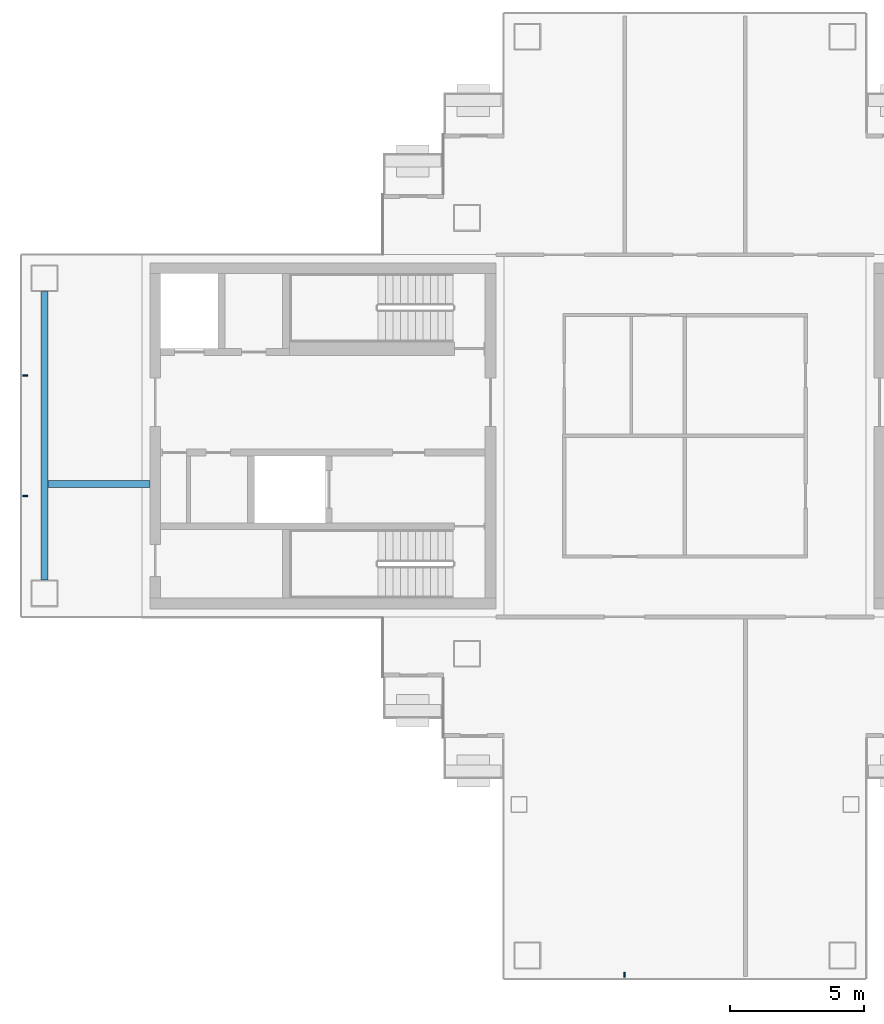
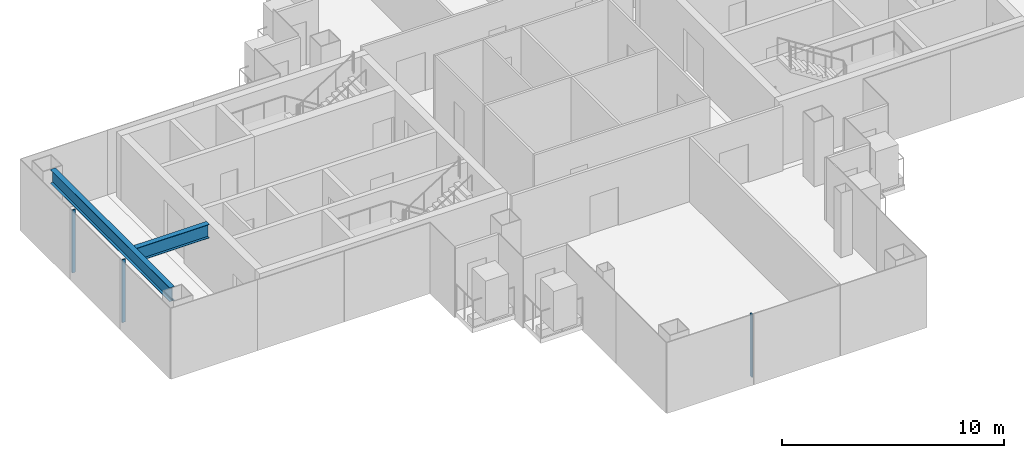
# One storey, part 3 of 15: 3 members, 2 beams, 2 elements without a shape of their own.
"""IFC4 building model written with IfcOpenShell, lengths in metres."""

from ifc_helpers import new_model, si_unit, direction, frame, origin, origin_2d, place, context, subcontext, project, spatial, rectangle, i_section, extrude, material, layer, layer_set, material_profile, profile_set, type_object, element, aggregate, save


model = new_model("IFC4")

# Units and contexts
model_context = context("Model", 3, precision=1e-05, world=origin(), true_north=direction((0.0, 1.0)))
body_context = subcontext(model_context, "Body", "Model", "MODEL_VIEW")
ifc_project = project(units=[si_unit("LENGTHUNIT", "METRE"), si_unit("AREAUNIT", "SQUARE_METRE"), si_unit("VOLUMEUNIT", "CUBIC_METRE"), si_unit("PLANEANGLEUNIT", "RADIAN"), si_unit("MASSUNIT", "GRAM", prefix="KILO")], contexts=[model_context])

# Site, building, storey
site_placement = place(None, origin())
site = spatial("IfcSite", under=ifc_project, at=site_placement, CompositionType="ELEMENT")
building_placement = place(site_placement, origin())
building = spatial("IfcBuilding", under=site, at=building_placement, Name="Shamsa Quay Exchange Towers", CompositionType="ELEMENT")
storey_placement = place(building_placement, frame((0.0, 0.0, 206.10009765625)))
storey = spatial("IfcBuildingStorey", under=building, at=storey_placement, Name="L49", CompositionType="ELEMENT", Elevation=206.10009765625)

# Curtain wall, member
ifc_material_1 = material(Name="Aluminium EN AW-6063 T6, black anodised", Category="aluminium")
ifc_layer = layer(ifc_material_1, 0.280029296875)
ifc_layer_set = layer_set([ifc_layer], Name="CW-1 UNITISED VISION GLASS")
curtain_wall_type = type_object("IfcCurtainWallType", Name="CW-1 UNITISED VISION GLASS", PredefinedType="NOTDEFINED", material=ifc_layer_set)
curtain_wall_1_placement = place(storey_placement, origin())
curtain_wall_1 = element("IfcCurtainWall", 1, at=curtain_wall_1_placement, inside=storey, type_object=curtain_wall_type, Name="CW1 T1-END-V- L49", PredefinedType="NOTDEFINED")
ifc_material_profile_1 = material_profile(ifc_material_1, rectangle(XDim=0.179931640625, YDim=0.06005859375, at=origin_2d()), Name="MU60x180")
ifc_profile_set_1 = profile_set([ifc_material_profile_1], Name="Aluminium EN AW-6063 T6, black anodised")
member_type = type_object("IfcMemberType", Name="CW1 MULLION 60x180", PredefinedType="MULLION", material=ifc_profile_set_1)
member_1_placement = place(storey_placement, frame((-36.0, -20.10009765625, 0.0), z_axis=(0.0, 0.0, 1.0), x_axis=(0.0, 1.0, 0.0)))
member_1 = element("IfcMember", 2, at=member_1_placement, type_object=member_type, Name="CW1 mullion", PredefinedType="MULLION", context=body_context, shape_type="SweptSolid", body=[
    extrude(rectangle(XDim=0.179931640625, YDim=0.06005859375, at=origin_2d()), origin(), (0.0, 0.0, 1.0), 3.449951171875),
])
aggregate(curtain_wall_1, [member_1])

# Curtain wall, members
curtain_wall_2_placement = place(storey_placement, origin())
curtain_wall_2 = element("IfcCurtainWall", 3, at=curtain_wall_2_placement, inside=storey, type_object=curtain_wall_type, Name="CW1 T1-END-U- L49", PredefinedType="NOTDEFINED")
member_2_placement = place(storey_placement, frame((-58.35009765625, 2.25, 0.0)))
member_2 = element("IfcMember", 4, at=member_2_placement, type_object=member_type, Name="CW1 mullion", PredefinedType="MULLION", context=body_context, shape_type="SweptSolid", body=[
    extrude(rectangle(XDim=0.179931640625, YDim=0.06005859375, at=origin_2d()), origin(), (0.0, 0.0, 1.0), 3.449951171875),
])
member_3_placement = place(storey_placement, frame((-58.35009765625, -2.25, 0.0)))
member_3 = element("IfcMember", 5, at=member_3_placement, type_object=member_type, Name="CW1 mullion", PredefinedType="MULLION", context=body_context, shape_type="SweptSolid", body=[
    extrude(rectangle(XDim=0.179931640625, YDim=0.06005859375, at=origin_2d()), origin(), (0.0, 0.0, 1.0), 3.449951171875),
])
aggregate(curtain_wall_2, [member_2, member_3])

# Beams
ifc_material_2 = material(Name="Steel S355", Category="steel")
ifc_material_profile_2 = material_profile(ifc_material_2, i_section(OverallWidth=0.26611328125, OverallDepth=0.7578125, WebThickness=0.013916015625, FlangeThickness=0.019287109375, at=origin_2d()), Name="W30x108")
ifc_profile_set_2 = profile_set([ifc_material_profile_2], Name="Steel S355")
beam_type = type_object("IfcBeamType", Name="End-zone beam W30x108", PredefinedType="BEAM", material=ifc_profile_set_2)
beam_1_placement = place(storey_placement, frame((-57.625, -5.375, 3.171142578125), z_axis=(0.0, 1.0, 0.0), x_axis=(-1.0, 0.0, 0.0)))
element("IfcBeam", 6, at=beam_1_placement, inside=storey, type_object=beam_type, Name="End beam T1 U- end zone L49", PredefinedType="BEAM", context=body_context, shape_type="SweptSolid", body=[
    extrude(i_section(OverallWidth=0.26611328125, OverallDepth=0.7578125, WebThickness=0.013916015625, FlangeThickness=0.019287109375, at=origin_2d()), origin(), (0.0, 0.0, 1.0), 10.75),
])
beam_2_placement = place(storey_placement, frame((-53.699951171875, -1.800048828125, 3.171142578125), z_axis=(-1.0, 0.0, 0.0), x_axis=(0.0, -1.0, 0.0)))
element("IfcBeam", 7, at=beam_2_placement, inside=storey, type_object=beam_type, Name="Spine beam T1 U- end zone L49", PredefinedType="BEAM", context=body_context, shape_type="SweptSolid", body=[
    extrude(i_section(OverallWidth=0.26611328125, OverallDepth=0.7578125, WebThickness=0.013916015625, FlangeThickness=0.019287109375, at=origin_2d()), origin(), (0.0, 0.0, 1.0), 3.7919921875),
])

save(model, "model.ifc")
